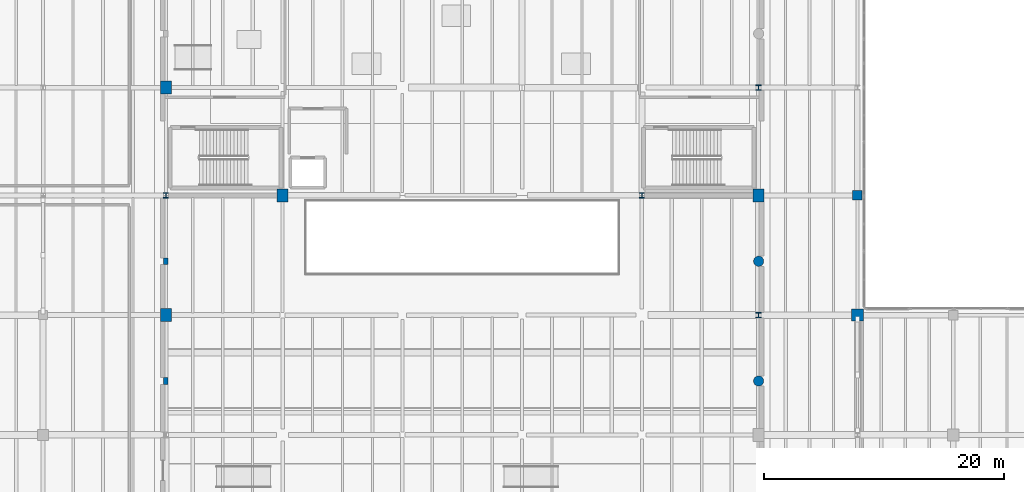
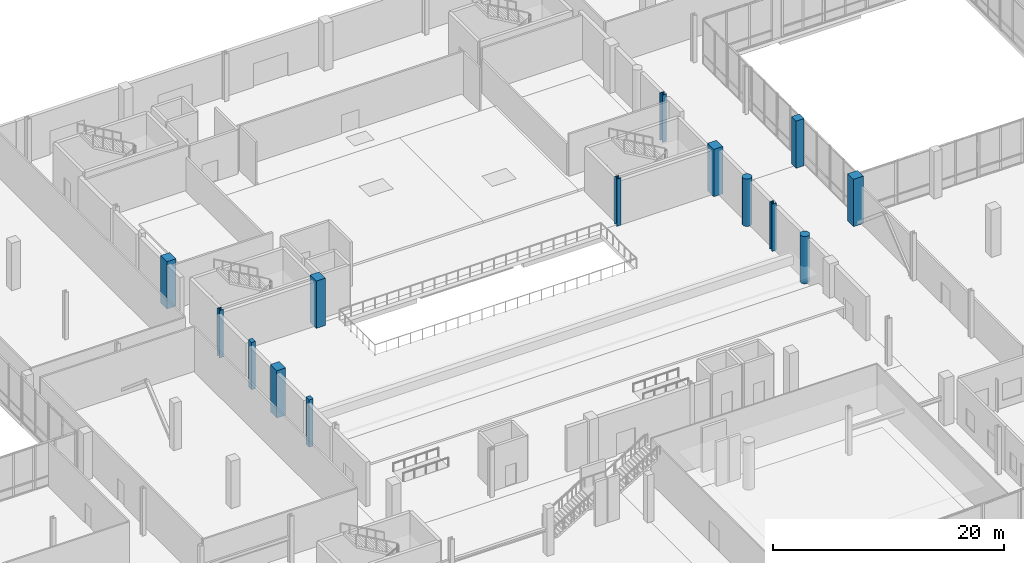
# One storey, part 11 of 88: 14 columns.
"""IFC4 building model written with IfcOpenShell, lengths in metres."""

from ifc_helpers import new_model, si_unit, direction, frame, origin, origin_2d, place, context, subcontext, project, spatial, rectangle, circle, i_section, extrude, material, material_profile, profile_set, type_object, element, save


model = new_model("IFC4")

# Units and contexts
model_context = context("Model", 3, precision=1e-05, world=origin(), true_north=direction((0.0, 1.0)))
body_context = subcontext(model_context, "Body", "Model", "MODEL_VIEW")
ifc_project = project(units=[si_unit("LENGTHUNIT", "METRE"), si_unit("AREAUNIT", "SQUARE_METRE"), si_unit("VOLUMEUNIT", "CUBIC_METRE"), si_unit("PLANEANGLEUNIT", "RADIAN"), si_unit("MASSUNIT", "GRAM", prefix="KILO")], contexts=[model_context])

# Site, building, storey
site_placement = place(None, origin())
site = spatial("IfcSite", under=ifc_project, at=site_placement, CompositionType="ELEMENT")
building_placement = place(site_placement, origin())
building = spatial("IfcBuilding", under=site, at=building_placement, Name="Trimount Lyric Opera House", CompositionType="ELEMENT")
storey_placement = place(building_placement, origin())
storey = spatial("IfcBuildingStorey", under=building, at=storey_placement, Name="L00", CompositionType="ELEMENT", Elevation=0.0)

# Columns
ifc_material_1 = material(Name="Steel ASTM A992 Grade 50", Category="steel")
ifc_material_profile_1 = material_profile(ifc_material_1, i_section(OverallWidth=0.422119140625, OverallDepth=0.465087890625, WebThickness=0.044921875, FlangeThickness=0.072509765625, FilletRadius=0.02001953125, at=origin_2d()), Name="W14X398")
ifc_profile_set_1 = profile_set([ifc_material_profile_1], Name="Steel ASTM A992 Grade 50")
column_type_1 = type_object("IfcColumnType", Name="C-01", PredefinedType="COLUMN", material=ifc_profile_set_1)
for number, where, z_axis, x_axis, name in (
    (1, (64.260009765625, 84.0, 0.0), (0.0, 0.0, 1.0), (1.0, 0.0, 0.0), "L00 column 8/K"),
    (2, (104.0, 84.0, 0.0), (0.0, 0.0, 1.0), (1.0, 0.0, 0.0), "L00 column 12/K"),
    (3, (113.739990234375, 74.0, 0.0), (0.0, 0.0, 1.0), (1.0, 0.0, 0.0), "L00 column 13/J"),
    (4, (113.739990234375, 93.0, 0.0), (0.0, 0.0, 1.0), (1.0, 0.0, 0.0), "L00 column 13/L"),
):
    element("IfcColumn", number, at=place(storey_placement, frame(where, z_axis=z_axis, x_axis=x_axis)), inside=storey, type_object=column_type_1, Name=name, PredefinedType="COLUMN", context=body_context, shape_type="SweptSolid", body=[
        extrude(i_section(OverallWidth=0.422119140625, OverallDepth=0.465087890625, WebThickness=0.044921875, FlangeThickness=0.072509765625, FilletRadius=0.02001953125, at=origin_2d()), origin(), (0.0, 0.0, 1.0), 5.0),
    ])
ifc_material_2 = material(Name="Concrete C50/60", Category="concrete")
ifc_material_profile_2 = material_profile(ifc_material_2, rectangle(XDim=0.89990234375, YDim=1.10009765625, at=origin_2d()), Name="RC1100X900")
ifc_profile_set_2 = profile_set([ifc_material_profile_2], Name="Concrete C50/60")
column_type_2 = type_object("IfcColumnType", Name="C-11", PredefinedType="COLUMN", material=ifc_profile_set_2)
for number, where, z_axis, x_axis, name in (
    (5, (64.260009765625, 74.0, 0.0), (0.0, 0.0, 1.0), (1.0, 0.0, 0.0), "L00 column 8/J"),
    (6, (64.260009765625, 93.0, 0.0), (0.0, 0.0, 1.0), (1.0, 0.0, 0.0), "L00 column 8/L"),
    (7, (74.0, 84.0, 0.0), (0.0, 0.0, 1.0), (1.0, 0.0, 0.0), "L00 column 9/K"),
    (8, (113.739990234375, 84.0, 0.0), (0.0, 0.0, 1.0), (1.0, 0.0, 0.0), "L00 column 13/K"),
):
    element("IfcColumn", number, at=place(storey_placement, frame(where, z_axis=z_axis, x_axis=x_axis)), inside=storey, type_object=column_type_2, Name=name, PredefinedType="COLUMN", context=body_context, shape_type="SweptSolid", body=[
        extrude(rectangle(XDim=0.89990234375, YDim=1.10009765625, at=origin_2d()), origin(), (0.0, 0.0, 1.0), 5.0),
    ])
ifc_material_3 = material(Name="Concrete C50/60", Category="concrete")
ifc_material_profile_3 = material_profile(ifc_material_3, rectangle(XDim=1.0, YDim=1.0, at=origin_2d()), Name="RC1000X1000")
ifc_profile_set_3 = profile_set([ifc_material_profile_3], Name="Concrete C50/60")
column_type_3 = type_object("IfcColumnType", Name="C-12", PredefinedType="COLUMN", material=ifc_profile_set_3)
column_1_placement = place(storey_placement, frame((122.0, 74.0, 0.0), z_axis=(0.0, 0.0, 1.0), x_axis=(1.0, 0.0, 0.0)))
element("IfcColumn", 9, at=column_1_placement, inside=storey, type_object=column_type_3, Name="L00 column 14/J", PredefinedType="COLUMN", context=body_context, shape_type="SweptSolid", body=[
    extrude(rectangle(XDim=1.0, YDim=1.0, at=origin_2d()), origin(), (0.0, 0.0, 1.0), 5.0),
])
ifc_material_4 = material(Name="Concrete C40/50", Category="concrete")
ifc_material_profile_4 = material_profile(ifc_material_4, rectangle(XDim=0.800048828125, YDim=0.800048828125, at=origin_2d()), Name="RC800X800")
ifc_profile_set_4 = profile_set([ifc_material_profile_4], Name="Concrete C40/50")
column_type_4 = type_object("IfcColumnType", Name="C-14", PredefinedType="COLUMN", material=ifc_profile_set_4)
column_2_placement = place(storey_placement, frame((122.0, 84.0, 0.0), z_axis=(0.0, 0.0, 1.0), x_axis=(1.0, 0.0, 0.0)))
element("IfcColumn", 10, at=column_2_placement, inside=storey, type_object=column_type_4, Name="L00 column 14/K", PredefinedType="COLUMN", context=body_context, shape_type="SweptSolid", body=[
    extrude(rectangle(XDim=0.800048828125, YDim=0.800048828125, at=origin_2d()), origin(), (0.0, 0.0, 1.0), 5.0),
])
ifc_material_5 = material(Name="Concrete C40/50", Category="concrete")
ifc_material_profile_5 = material_profile(ifc_material_5, rectangle(XDim=0.39990234375, YDim=0.550048828125, at=origin_2d()), Name="RC550X400")
ifc_profile_set_5 = profile_set([ifc_material_profile_5], Name="Concrete C40/50")
column_type_5 = type_object("IfcColumnType", Name="CP-01", PredefinedType="PILASTER", material=ifc_profile_set_5)
for number, where, z_axis, x_axis, name in (
    (11, (64.25, 68.5, 0.0), (0.0, 0.0, 1.0), (1.0, 0.0, 0.0), "L00 acoustic shell pilaster W1"),
    (12, (64.25, 78.5, 0.0), (0.0, 0.0, 1.0), (1.0, 0.0, 0.0), "L00 acoustic shell pilaster W2"),
):
    element("IfcColumn", number, at=place(storey_placement, frame(where, z_axis=z_axis, x_axis=x_axis)), inside=storey, type_object=column_type_5, Name=name, PredefinedType="PILASTER", context=body_context, shape_type="SweptSolid", body=[
        extrude(rectangle(XDim=0.39990234375, YDim=0.550048828125, at=origin_2d()), origin(), (0.0, 0.0, 1.0), 5.0),
    ])
ifc_material_6 = material(Name="Concrete C50/60", Category="concrete")
ifc_material_profile_6 = material_profile(ifc_material_6, circle(Radius=0.425048828125, at=origin_2d()), Name="RC-D850")
ifc_profile_set_6 = profile_set([ifc_material_profile_6], Name="Concrete C50/60")
column_type_6 = type_object("IfcColumnType", Name="CP-02", PredefinedType="PILASTER", material=ifc_profile_set_6)
for number, where, z_axis, x_axis, name in (
    (13, (113.75, 68.5, 0.0), (0.0, 0.0, 1.0), (1.0, 0.0, 0.0), "L00 acoustic shell pilaster E1"),
    (14, (113.75, 78.5, 0.0), (0.0, 0.0, 1.0), (1.0, 0.0, 0.0), "L00 acoustic shell pilaster E2"),
):
    element("IfcColumn", number, at=place(storey_placement, frame(where, z_axis=z_axis, x_axis=x_axis)), inside=storey, type_object=column_type_6, Name=name, PredefinedType="PILASTER", context=body_context, shape_type="SweptSolid", body=[
        extrude(circle(Radius=0.425048828125, at=origin_2d()), origin(), (0.0, 0.0, 1.0), 5.0),
    ])

save(model, "model.ifc")
